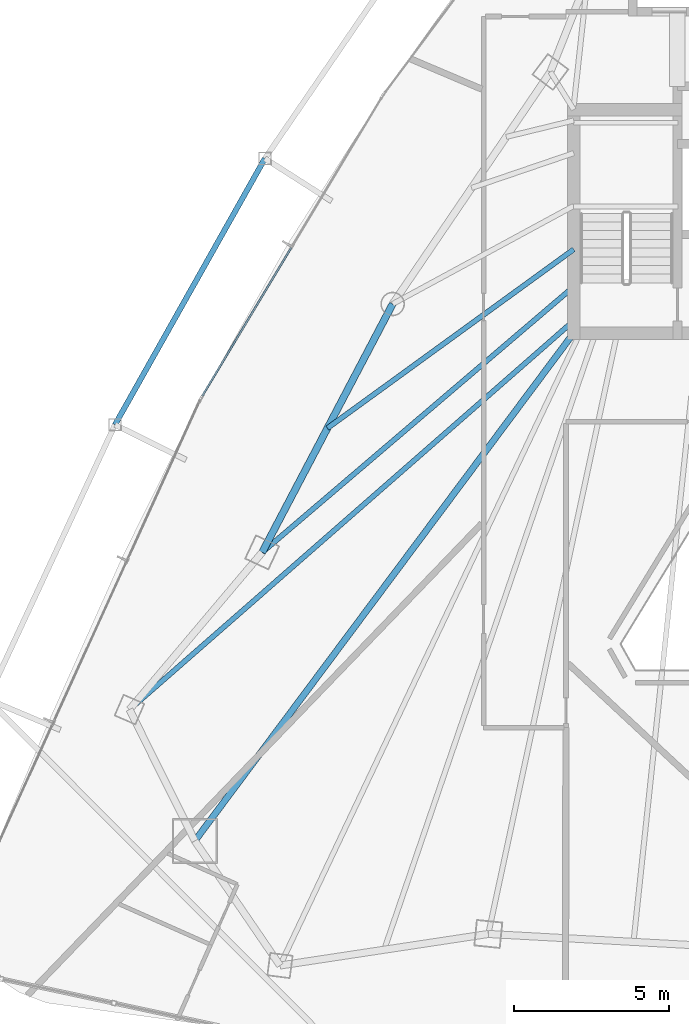
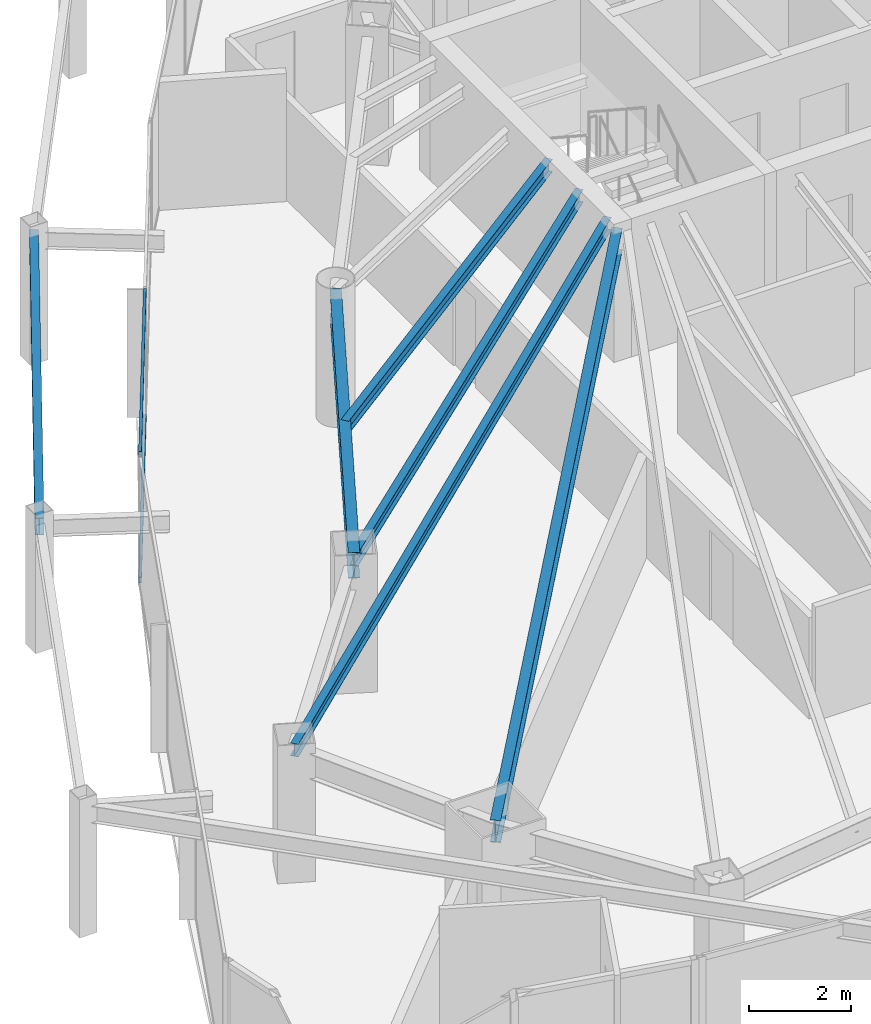
# One storey, part 10 of 31: 6 beams, 2 members, 1 element without a shape of its own.
"""IFC4 building model written with IfcOpenShell, lengths in metres."""

from ifc_helpers import new_model, si_unit, direction, frame, origin, origin_2d, place, context, subcontext, project, spatial, hollow_rectangle, i_section, extrude, material, layer, layer_set, material_profile, profile_set, type_object, element, aggregate, save


model = new_model("IFC4")

# Units and contexts
model_context = context("Model", 3, precision=1e-05, world=origin(), true_north=direction((0.0, 1.0)))
body_context = subcontext(model_context, "Body", "Model", "MODEL_VIEW")
ifc_project = project(units=[si_unit("LENGTHUNIT", "METRE"), si_unit("AREAUNIT", "SQUARE_METRE"), si_unit("VOLUMEUNIT", "CUBIC_METRE"), si_unit("PLANEANGLEUNIT", "RADIAN"), si_unit("MASSUNIT", "GRAM", prefix="KILO")], contexts=[model_context])

# Site, building, storey
site_placement = place(None, origin())
site = spatial("IfcSite", under=ifc_project, at=site_placement, CompositionType="ELEMENT")
building_placement = place(site_placement, origin())
building = spatial("IfcBuilding", under=site, at=building_placement, Name="Orvanel Arch Residences", CompositionType="ELEMENT")
storey_placement = place(building_placement, frame((0.0, 0.0, 129.800048828125)))
storey = spatial("IfcBuildingStorey", under=building, at=storey_placement, Name="L36", CompositionType="ELEMENT", Elevation=129.800048828125)

# Beams
ifc_material_1 = material(Name="Structural steel AS/NZS 3679.1 Grade 300 (300 MPa)", Category="steel")
ifc_material_profile_1 = material_profile(ifc_material_1, i_section(OverallWidth=0.208984375, OverallDepth=0.532958984375, WebThickness=0.01025390625, FlangeThickness=0.015625, at=origin_2d()), Name="530UB92.4")
ifc_profile_set_1 = profile_set([ifc_material_profile_1], Name="Structural steel AS/NZS 3679.1 Grade 300 (300 MPa)")
beam_type_1 = type_object("IfcBeamType", Name="BG-530UB", PredefinedType="BEAM", material=ifc_profile_set_1)
beam_1_placement = place(storey_placement, frame((26.375, 26.675048828125, 2.7939453125), z_axis=(-0.597893733742, -0.801575375839, 0.0), x_axis=(0.801575375839, -0.597893733742, 0.0)))
element("IfcBeam", 1, at=beam_1_placement, inside=storey, type_object=beam_type_1, Name="L36 South-West Radial Girder", PredefinedType="BEAM", context=body_context, shape_type="SweptSolid", body=[
    extrude(i_section(OverallWidth=0.208984375, OverallDepth=0.532958984375, WebThickness=0.01025390625, FlangeThickness=0.015625, at=origin_2d()), origin(), (0.0, 0.0, 1.0), 20.36474609375),
])
ifc_material_profile_2 = material_profile(ifc_material_1, i_section(OverallWidth=0.1650390625, OverallDepth=0.303955078125, WebThickness=0.006103515625, FlangeThickness=0.01025390625, at=origin_2d()), Name="310UB40.4")
ifc_profile_set_2 = profile_set([ifc_material_profile_2], Name="Structural steel AS/NZS 3679.1 Grade 300 (300 MPa)")
beam_type_2 = type_object("IfcBeamType", Name="BJ-310UB", PredefinedType="JOIST", material=ifc_profile_set_2)
beam_2_placement = place(storey_placement, frame((26.39990234375, 28.199951171875, 2.907958984375), z_axis=(-0.760821315761, -0.648961420644, 0.0), x_axis=(0.648961420644, -0.760821315761, 0.0)))
element("IfcBeam", 2, at=beam_2_placement, inside=storey, type_object=beam_type_2, Name="L36 W Wing Floor Joist", PredefinedType="JOIST", context=body_context, shape_type="SweptSolid", body=[
    extrude(i_section(OverallWidth=0.1650390625, OverallDepth=0.303955078125, WebThickness=0.006103515625, FlangeThickness=0.01025390625, at=origin_2d()), origin(), (0.0, 0.0, 1.0), 13.18701171875),
])
beam_3_placement = place(storey_placement, frame((26.39990234375, 27.10009765625, 2.907958984375), z_axis=(-0.752493154183, -0.658600070534, 0.0), x_axis=(0.658600070534, -0.752493154183, 0.0)))
element("IfcBeam", 3, at=beam_3_placement, inside=storey, type_object=beam_type_2, Name="L36 MW Wing Floor Joist", PredefinedType="JOIST", context=body_context, shape_type="SweptSolid", body=[
    extrude(i_section(OverallWidth=0.1650390625, OverallDepth=0.303955078125, WebThickness=0.006103515625, FlangeThickness=0.01025390625, at=origin_2d()), origin(), (0.0, 0.0, 1.0), 19.010009765625),
])
beam_4_placement = place(storey_placement, frame((26.39990234375, 29.39990234375, 2.907958984375), z_axis=(-0.809261403954, -0.587448704203, 0.0), x_axis=(0.587448704203, -0.809261403954, 0.0)))
element("IfcBeam", 4, at=beam_4_placement, inside=storey, type_object=beam_type_2, Name="L36 CTW Wing Floor Joist", PredefinedType="JOIST", context=body_context, shape_type="SweptSolid", body=[
    extrude(i_section(OverallWidth=0.1650390625, OverallDepth=0.303955078125, WebThickness=0.006103515625, FlangeThickness=0.01025390625, at=origin_2d()), origin(), (0.0, 0.0, 1.0), 9.80126953125),
])
ifc_material_profile_3 = material_profile(ifc_material_1, i_section(OverallWidth=0.177978515625, OverallDepth=0.406005859375, WebThickness=0.0078125, FlangeThickness=0.0126953125, at=origin_2d()), Name="410UB59.7")
ifc_profile_set_3 = profile_set([ifc_material_profile_3], Name="Structural steel AS/NZS 3679.1 Grade 300 (300 MPa)")
beam_type_3 = type_object("IfcBeamType", Name="OB-410UB-EXT", PredefinedType="SPANDREL", material=ifc_profile_set_3)
beam_5_placement = place(storey_placement, frame((16.455078125, 32.325927734375, 2.85693359375), z_axis=(-0.490592233597, -0.871389270266, 0.0), x_axis=(0.871389270266, -0.490592233597, 0.0)))
element("IfcBeam", 5, at=beam_5_placement, inside=storey, type_object=beam_type_3, Name="L36 Outer Perimeter Floor Ring Beam 02", PredefinedType="SPANDREL", context=body_context, shape_type="SweptSolid", body=[
    extrude(i_section(OverallWidth=0.177978515625, OverallDepth=0.406005859375, WebThickness=0.0078125, FlangeThickness=0.0126953125, at=origin_2d()), origin(), (0.0, 0.0, 1.0), 9.83935546875),
])
ifc_material_profile_4 = material_profile(ifc_material_1, i_section(OverallWidth=0.22900390625, OverallDepth=0.612060546875, WebThickness=0.011962890625, FlangeThickness=0.01953125, at=origin_2d()), Name="610UB125")
ifc_profile_set_4 = profile_set([ifc_material_profile_4], Name="Structural steel AS/NZS 3679.1 Grade 300 (300 MPa)")
beam_type_4 = type_object("IfcBeamType", Name="SP-610UB", PredefinedType="SPANDREL", material=ifc_profile_set_4)
beam_6_placement = place(storey_placement, frame((20.569091796875, 27.64111328125, 2.75390625), z_axis=(-0.465064762793, -0.885276660942, 0.0), x_axis=(0.885276660942, -0.465064762793, 0.0)))
element("IfcBeam", 6, at=beam_6_placement, inside=storey, type_object=beam_type_4, Name="L36 Perimeter Spandrel Beam 18", PredefinedType="SPANDREL", context=body_context, shape_type="SweptSolid", body=[
    extrude(i_section(OverallWidth=0.22900390625, OverallDepth=0.612060546875, WebThickness=0.011962890625, FlangeThickness=0.01953125, at=origin_2d()), origin(), (0.0, 0.0, 1.0), 9.03564453125),
])

# Curtain wall, members
ifc_material_2 = material(Name="Bronze-anodised aluminium AA6063-T6", Category="aluminium")
ifc_layer = layer(ifc_material_2, 0.179931640625)
ifc_layer_set = layer_set([ifc_layer], Name="Bronze-anodised aluminium AA6063-T6")
curtain_wall_type = type_object("IfcCurtainWallType", Name="CW3-MID-SYS", PredefinedType="NOTDEFINED", material=ifc_layer_set)
curtain_wall_placement = place(storey_placement, origin())
curtain_wall = element("IfcCurtainWall", 7, at=curtain_wall_placement, inside=storey, type_object=curtain_wall_type, Name="L36 CW3-MID-SYS Unitised Curtain Wall", PredefinedType="NOTDEFINED")
ifc_material_profile_5 = material_profile(ifc_material_2, hollow_rectangle(XDim=0.06005859375, YDim=0.135009765625, WallThickness=0.00390625, at=origin_2d()), Name="ALU135x60x4")
ifc_profile_set_5 = profile_set([ifc_material_profile_5], Name="Bronze-anodised aluminium AA6063-T6")
member_type = type_object("IfcMemberType", Name="TRN-135x60", PredefinedType="USERDEFINED", material=ifc_profile_set_5)
member_1_placement = place(storey_placement, frame((17.304443359375, 29.4560546875, 0.030029296875), z_axis=(-0.514418461104, -0.857539297569, 0.0), x_axis=(0.857539297569, -0.514418461104, 0.0)))
member_1 = element("IfcMember", 8, at=member_1_placement, type_object=member_type, Name="CW-S3 transom 2.1", ObjectType="TRANSOM", PredefinedType="USERDEFINED", context=body_context, shape_type="SweptSolid", body=[
    extrude(hollow_rectangle(XDim=0.06005859375, YDim=0.135009765625, WallThickness=0.00390625, at=origin_2d()), origin(), (0.0, 0.0, 1.0), 5.57421875),
])
member_2_placement = place(storey_placement, frame((17.304443359375, 29.4560546875, 3.030029296875), z_axis=(-0.514418461104, -0.857539297569, 0.0), x_axis=(0.857539297569, -0.514418461104, 0.0)))
member_2 = element("IfcMember", 9, at=member_2_placement, type_object=member_type, Name="CW-S3 transom 2.2", ObjectType="TRANSOM", PredefinedType="USERDEFINED", context=body_context, shape_type="SweptSolid", body=[
    extrude(hollow_rectangle(XDim=0.06005859375, YDim=0.135009765625, WallThickness=0.00390625, at=origin_2d()), origin(), (0.0, 0.0, 1.0), 5.57421875),
])
aggregate(curtain_wall, [member_1, member_2])

save(model, "model.ifc")
